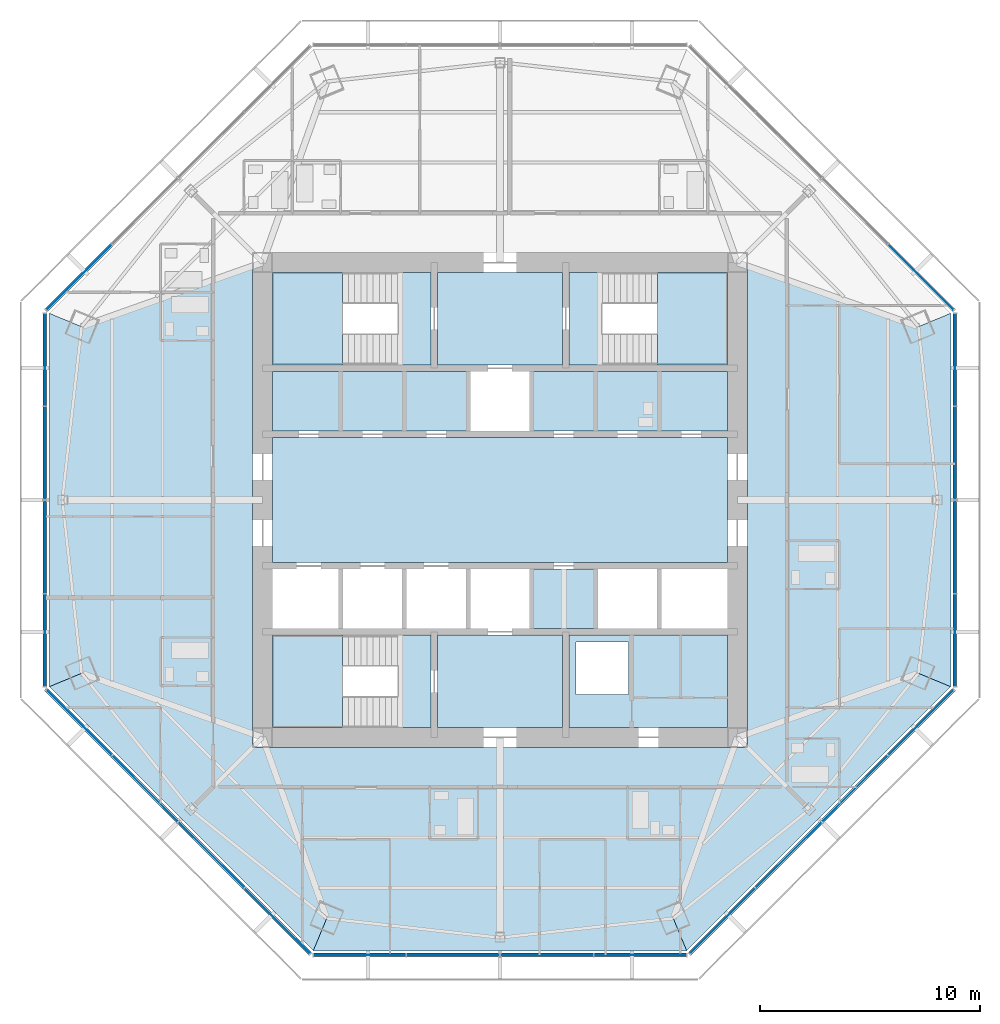
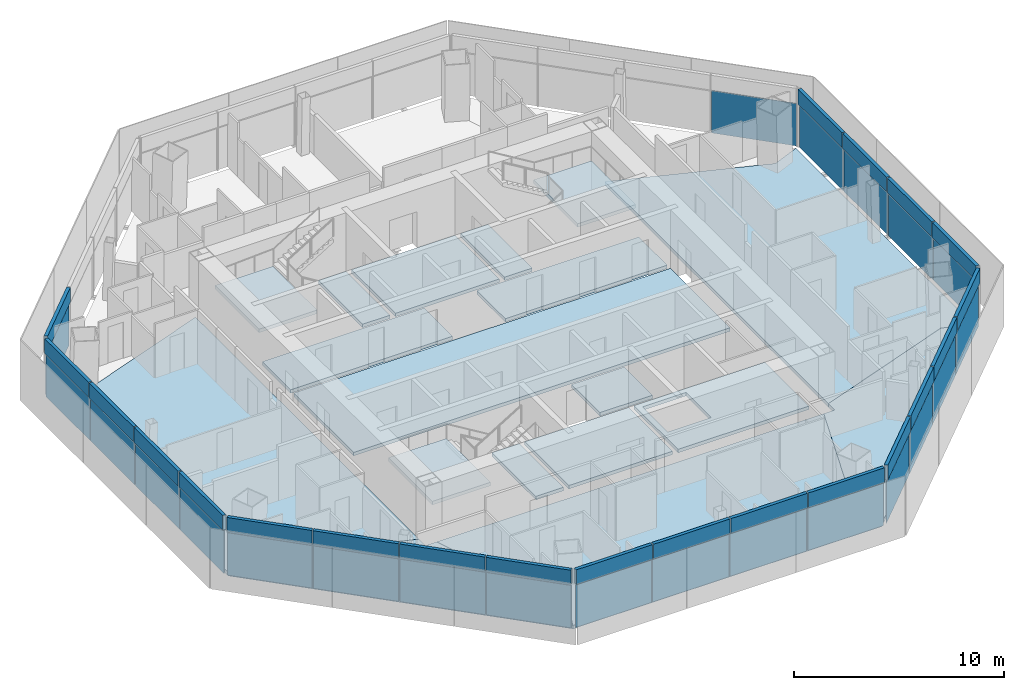
# One storey, part 7 of 15: 43 plates, 18 slabs, 10 elements without a shape of their own.
"""IFC4 building model written with IfcOpenShell, lengths in metres."""

from ifc_helpers import new_model, si_unit, direction, frame, origin, origin_2d, place, context, subcontext, project, spatial, polyline, rectangle, outline, extrude, source, transform, mapped, material, layer, layer_set, type_object, type_shapes, element, aggregate, save


model = new_model("IFC4")

# Units and contexts
model_context = context("Model", 3, precision=1e-05, world=origin(), true_north=direction((0.0, 1.0)))
body_context = subcontext(model_context, "Body", "Model", "MODEL_VIEW")
ifc_project = project(units=[si_unit("LENGTHUNIT", "METRE"), si_unit("AREAUNIT", "SQUARE_METRE"), si_unit("VOLUMEUNIT", "CUBIC_METRE"), si_unit("PLANEANGLEUNIT", "RADIAN"), si_unit("MASSUNIT", "GRAM", prefix="KILO")], contexts=[model_context])

# Site, building, storey
site_placement = place(None, origin())
site = spatial("IfcSite", under=ifc_project, at=site_placement, CompositionType="ELEMENT")
building_placement = place(site_placement, origin())
building = spatial("IfcBuilding", under=site, at=building_placement, Name="Mashrafa Tower", CompositionType="ELEMENT")
storey_placement = place(building_placement, frame((0.0, 0.0, 258.39990234375)))
storey = spatial("IfcBuildingStorey", under=building, at=storey_placement, Name="L62", CompositionType="ELEMENT", Elevation=258.39990234375)

# Slabs
ifc_material_1 = material(Name="Concrete C35/45", Category="concrete")
ifc_layer_1 = layer(ifc_material_1, 0.199951171875)
ifc_layer_set_1 = layer_set([ifc_layer_1], Name="Floor slab 200")
slab_type_1 = type_object("IfcSlabType", Name="Floor slab 200", PredefinedType="FLOOR", material=ifc_layer_set_1)
slab_1_placement = place(storey_placement, frame((0.0, 0.0, -0.199951171875)))
element("IfcSlab", 1, at=slab_1_placement, inside=storey, type_object=slab_type_1, Name="Floor slab L62 east bay", PredefinedType="FLOOR", context=body_context, shape_type="SweptSolid", body=[
    extrude(outline(polyline([(20.5048828125, 8.493408203125), (20.5048828125, -8.493408203125), (20.5048828125, -8.493408203125), (19.032470703125, -7.883544921875), (11.25, -10.640625), (11.25, 10.640625), (19.032470703125, 7.883544921875), (20.5048828125, 8.493408203125), (20.5048828125, 8.493408203125)])), origin(), (0.0, 0.0, 1.0), 0.199951171875),
])
slab_2_placement = place(storey_placement, frame((0.0, 0.0, -0.199951171875)))
element("IfcSlab", 2, at=slab_2_placement, inside=storey, type_object=slab_type_1, Name="Floor slab L62 west bay", PredefinedType="FLOOR", context=body_context, shape_type="SweptSolid", body=[
    extrude(outline(polyline([(-20.5048828125, -8.493408203125), (-20.5048828125, 8.493408203125), (-20.5048828125, 8.493408203125), (-19.032470703125, 7.883544921875), (-11.25, 10.640625), (-11.25, -10.640625), (-19.032470703125, -7.883544921875), (-20.5048828125, -8.493408203125), (-20.5048828125, -8.493408203125)])), origin(), (0.0, 0.0, 1.0), 0.199951171875),
])
slab_3_placement = place(storey_placement, frame((0.0, 0.0, -0.199951171875)))
element("IfcSlab", 3, at=slab_3_placement, inside=storey, type_object=slab_type_1, Name="Floor slab L62 south-west bay", PredefinedType="FLOOR", context=body_context, shape_type="SweptSolid", body=[
    extrude(outline(polyline([(-20.5048828125, -8.493408203125), (-19.032470703125, -7.883544921875), (-11.25, -10.640625), (-11.25, -11.25), (-10.640625, -11.25), (-7.883544921875, -19.032470703125), (-8.493408203125, -20.5048828125), (-20.5048828125, -8.493408203125)])), origin(), (0.0, 0.0, 1.0), 0.199951171875),
])
slab_4_placement = place(storey_placement, frame((0.0, 0.0, -0.199951171875)))
element("IfcSlab", 4, at=slab_4_placement, inside=storey, type_object=slab_type_1, Name="Floor slab L62 south bay", PredefinedType="FLOOR", context=body_context, shape_type="SweptSolid", body=[
    extrude(outline(polyline([(-8.493408203125, -20.5048828125), (-8.493408203125, -20.5048828125), (-7.883544921875, -19.032470703125), (-10.640625, -11.25), (10.640625, -11.25), (7.883544921875, -19.032470703125), (8.493408203125, -20.5048828125), (8.493408203125, -20.5048828125), (-8.493408203125, -20.5048828125)])), origin(), (0.0, 0.0, 1.0), 0.199951171875),
])
slab_5_placement = place(storey_placement, frame((0.0, 0.0, -0.199951171875)))
element("IfcSlab", 5, at=slab_5_placement, inside=storey, type_object=slab_type_1, Name="Floor slab L62 south-east bay", PredefinedType="FLOOR", context=body_context, shape_type="SweptSolid", body=[
    extrude(outline(polyline([(8.493408203125, -20.5048828125), (7.883544921875, -19.032470703125), (10.640625, -11.25), (11.25, -11.25), (11.25, -10.640625), (19.032470703125, -7.883544921875), (20.5048828125, -8.493408203125), (8.493408203125, -20.5048828125)])), origin(), (0.0, 0.0, 1.0), 0.199951171875),
])
slab_6_placement = place(storey_placement, frame((0.0, 0.0, -0.199951171875)))
element("IfcSlab", 6, at=slab_6_placement, inside=storey, type_object=slab_type_1, Name="Core floor lift hall L62", PredefinedType="FLOOR", context=body_context, shape_type="SweptSolid", body=[
    extrude(outline(polyline([(-10.35009765625, 2.85009765625), (10.35009765625, 2.85009765625), (10.35009765625, -2.85009765625), (-10.35009765625, -2.85009765625), (-10.35009765625, 2.85009765625)])), origin(), (0.0, 0.0, 1.0), 0.199951171875),
])
slab_7_placement = place(storey_placement, frame((0.0, 0.0, -0.199951171875)))
element("IfcSlab", 7, at=slab_7_placement, inside=storey, type_object=slab_type_1, Name="Core floor riser and electrical band L62", PredefinedType="FLOOR", context=body_context, shape_type="SweptSolid", body=[
    extrude(outline(polyline([(10.35009765625, -6.14990234375), (10.35009765625, -10.35009765625), (3.14990234375, -10.35009765625), (3.14990234375, -6.14990234375), (10.35009765625, -6.14990234375)]), holes=[polyline([(3.449951171875, -8.85009765625), (5.85009765625, -8.85009765625), (5.85009765625, -6.449951171875), (3.449951171875, -6.449951171875), (3.449951171875, -8.85009765625)])]), origin(), (0.0, 0.0, 1.0), 0.199951171875),
])
slab_8_placement = place(storey_placement, frame((0.0, 0.0, -0.199951171875)))
element("IfcSlab", 8, at=slab_8_placement, inside=storey, type_object=slab_type_1, Name="Core floor lift cell L62", PredefinedType="FLOOR", context=body_context, shape_type="SweptSolid", body=[
    extrude(outline(polyline([(-10.35009765625, 5.85009765625), (-1.449951171875, 5.85009765625), (-1.449951171875, 3.14990234375), (-10.35009765625, 3.14990234375), (-10.35009765625, 5.85009765625)])), origin(), (0.0, 0.0, 1.0), 0.199951171875),
])
slab_9_placement = place(storey_placement, frame((0.0, 0.0, -0.199951171875)))
element("IfcSlab", 9, at=slab_9_placement, inside=storey, type_object=slab_type_1, Name="Core floor lift cell L62", PredefinedType="FLOOR", context=body_context, shape_type="SweptSolid", body=[
    extrude(outline(polyline([(1.449951171875, 5.85009765625), (10.35009765625, 5.85009765625), (10.35009765625, 3.14990234375), (1.449951171875, 3.14990234375), (1.449951171875, 5.85009765625)])), origin(), (0.0, 0.0, 1.0), 0.199951171875),
])
slab_10_placement = place(storey_placement, frame((0.0, 0.0, -0.199951171875)))
element("IfcSlab", 10, at=slab_10_placement, inside=storey, type_object=slab_type_1, Name="Core floor fire-fighting lobby south L62", PredefinedType="FLOOR", context=body_context, shape_type="SweptSolid", body=[
    extrude(outline(polyline([(2.85009765625, -6.14990234375), (2.85009765625, -10.35009765625), (-2.85009765625, -10.35009765625), (-2.85009765625, -6.14990234375), (2.85009765625, -6.14990234375)])), origin(), (0.0, 0.0, 1.0), 0.199951171875),
])
slab_11_placement = place(storey_placement, frame((0.0, 0.0, -0.199951171875)))
element("IfcSlab", 11, at=slab_11_placement, inside=storey, type_object=slab_type_1, Name="Core floor fire-fighting lobby north L62", PredefinedType="FLOOR", context=body_context, shape_type="SweptSolid", body=[
    extrude(outline(polyline([(-2.85009765625, 10.35009765625), (2.85009765625, 10.35009765625), (2.85009765625, 6.14990234375), (-2.85009765625, 6.14990234375), (-2.85009765625, 10.35009765625)])), origin(), (0.0, 0.0, 1.0), 0.199951171875),
])
slab_12_placement = place(storey_placement, frame((0.0, 0.0, -0.199951171875)))
element("IfcSlab", 12, at=slab_12_placement, inside=storey, type_object=slab_type_1, Name="Core floor lift cell L62", PredefinedType="FLOOR", context=body_context, shape_type="SweptSolid", body=[
    extrude(outline(polyline([(4.35009765625, -3.14990234375), (4.35009765625, -5.85009765625), (1.449951171875, -5.85009765625), (1.449951171875, -3.14990234375), (4.35009765625, -3.14990234375)])), origin(), (0.0, 0.0, 1.0), 0.199951171875),
])

# Stair, slabs
ifc_material_2 = material(Name="Exit stair 1400")
stair_type = type_object("IfcStairType", Name="Exit stair 1400", PredefinedType="HALF_TURN_STAIR", material=ifc_material_2)
stair_1_placement = place(storey_placement, origin())
stair_1 = element("IfcStair", 13, at=stair_1_placement, inside=storey, type_object=stair_type, Name="Stair S1 L62", PredefinedType="HALF_TURN_STAIR")
ifc_material_3 = material(Name="Concrete C32/40", Category="concrete")
ifc_layer_2 = layer(ifc_material_3, 0.199951171875)
ifc_layer_set_2 = layer_set([ifc_layer_2], Name="Stair landing 200")
slab_type_2 = type_object("IfcSlabType", Name="Stair landing 200", PredefinedType="LANDING", material=ifc_layer_set_2)
slab_13_placement = place(storey_placement, frame((0.0, 0.0, -0.199951171875)))
slab_13 = element("IfcSlab", 14, at=slab_13_placement, type_object=slab_type_2, Name="S1 landing 1", PredefinedType="LANDING", context=body_context, shape_type="SweptSolid", body=[
    extrude(outline(polyline([(-4.659912109375, 6.14990234375), (-3.14990234375, 6.14990234375), (-3.14990234375, 10.35009765625), (-4.659912109375, 10.35009765625), (-4.659912109375, 6.14990234375)])), origin(), (0.0, 0.0, 1.0), 0.199951171875),
])
slab_14_placement = place(storey_placement, frame((0.0, 0.0, 1.5)))
slab_14 = element("IfcSlab", 15, at=slab_14_placement, type_object=slab_type_2, Name="S1 landing 2", PredefinedType="LANDING", context=body_context, shape_type="SweptSolid", body=[
    extrude(outline(polyline([(-10.35009765625, 6.14990234375), (-7.159912109375, 6.14990234375), (-7.159912109375, 10.35009765625), (-10.35009765625, 10.35009765625), (-10.35009765625, 6.14990234375)])), origin(), (0.0, 0.0, 1.0), 0.2001953125),
])
aggregate(stair_1, [slab_13, slab_14])

stair_2_placement = place(storey_placement, origin())
stair_2 = element("IfcStair", 16, at=stair_2_placement, inside=storey, type_object=stair_type, Name="Stair S2 L62", PredefinedType="HALF_TURN_STAIR")
slab_15_placement = place(storey_placement, frame((0.0, 0.0, -0.199951171875)))
slab_15 = element("IfcSlab", 17, at=slab_15_placement, type_object=slab_type_2, Name="S2 landing 1", PredefinedType="LANDING", context=body_context, shape_type="SweptSolid", body=[
    extrude(outline(polyline([(3.14990234375, 6.14990234375), (4.659912109375, 6.14990234375), (4.659912109375, 10.35009765625), (3.14990234375, 10.35009765625), (3.14990234375, 6.14990234375)])), origin(), (0.0, 0.0, 1.0), 0.199951171875),
])
slab_16_placement = place(storey_placement, frame((0.0, 0.0, 1.5)))
slab_16 = element("IfcSlab", 18, at=slab_16_placement, type_object=slab_type_2, Name="S2 landing 2", PredefinedType="LANDING", context=body_context, shape_type="SweptSolid", body=[
    extrude(outline(polyline([(7.159912109375, 6.14990234375), (10.35009765625, 6.14990234375), (10.35009765625, 10.35009765625), (7.159912109375, 10.35009765625), (7.159912109375, 6.14990234375)])), origin(), (0.0, 0.0, 1.0), 0.2001953125),
])
aggregate(stair_2, [slab_15, slab_16])

stair_3_placement = place(storey_placement, origin())
stair_3 = element("IfcStair", 19, at=stair_3_placement, inside=storey, type_object=stair_type, Name="Stair S3 L62", PredefinedType="HALF_TURN_STAIR")
slab_17_placement = place(storey_placement, frame((0.0, 0.0, -0.199951171875)))
slab_17 = element("IfcSlab", 20, at=slab_17_placement, type_object=slab_type_2, Name="S3 landing 1", PredefinedType="LANDING", context=body_context, shape_type="SweptSolid", body=[
    extrude(outline(polyline([(-4.659912109375, -10.35009765625), (-3.14990234375, -10.35009765625), (-3.14990234375, -6.14990234375), (-4.659912109375, -6.14990234375), (-4.659912109375, -10.35009765625)])), origin(), (0.0, 0.0, 1.0), 0.199951171875),
])
slab_18_placement = place(storey_placement, frame((0.0, 0.0, 1.5)))
slab_18 = element("IfcSlab", 21, at=slab_18_placement, type_object=slab_type_2, Name="S3 landing 2", PredefinedType="LANDING", context=body_context, shape_type="SweptSolid", body=[
    extrude(outline(polyline([(-10.35009765625, -10.35009765625), (-7.159912109375, -10.35009765625), (-7.159912109375, -6.14990234375), (-10.35009765625, -6.14990234375), (-10.35009765625, -10.35009765625)])), origin(), (0.0, 0.0, 1.0), 0.2001953125),
])
aggregate(stair_3, [slab_17, slab_18])

# Curtain wall, plates
ifc_material_4 = material(Name="Unitised aluminium curtain wall", Category="aluminium")
curtain_wall_type = type_object("IfcCurtainWallType", Name="Apartment curtain wall, zone 3 CW-C 180 deep", PredefinedType="NOTDEFINED", material=ifc_material_4)
curtain_wall_1_placement = place(storey_placement, origin())
curtain_wall_1 = element("IfcCurtainWall", 22, at=curtain_wall_1_placement, inside=storey, type_object=curtain_wall_type, Name="Apartment curtain wall, zone 3 L62 east", PredefinedType="NOTDEFINED")
ifc_material_5 = material(Name="Insulated double glazing, acoustic", Category="glass")
ifc_layer_3 = layer(ifc_material_5, 0.028076171875)
ifc_layer_set_3 = layer_set([ifc_layer_3], Name="Vision panel CW-C 28")
plate_type_1 = type_object("IfcPlateType", Name="Vision panel CW-C 28", PredefinedType="CURTAIN_PANEL", material=ifc_layer_set_3)
shared_shape_1 = source(origin(), body_context, "Body", "SweptSolid", [
    extrude(rectangle(XDim=4.174560546875, YDim=0.028076171875, at=origin_2d()), origin(), (0.0, 0.0, 1.0), 2.46240234375),
])
plate_1_placement = place(storey_placement, frame((20.704833984375, -6.3818359375, 0.000244140625), z_axis=(0.0, 0.0, 1.0), x_axis=(0.0, 1.0, 0.0)))
plate_1 = element("IfcPlate", 23, at=plate_1_placement, type_object=plate_type_1, Name="CW-C vision panel 1", PredefinedType="CURTAIN_PANEL", context=body_context, shape_type="MappedRepresentation", body=[
    mapped(shared_shape_1, transform((0.0, 0.0, 0.0))),
])
plate_2_placement = place(storey_placement, frame((20.704833984375, 6.3818359375, 0.000244140625), z_axis=(0.0, 0.0, 1.0), x_axis=(0.0, 1.0, 0.0)))
plate_2 = element("IfcPlate", 24, at=plate_2_placement, type_object=plate_type_1, Name="CW-C vision panel 4", PredefinedType="CURTAIN_PANEL", context=body_context, shape_type="MappedRepresentation", body=[
    mapped(shared_shape_1, transform((0.0, 0.0, 0.0))),
])

# Curtain wall, plate
curtain_wall_2_placement = place(storey_placement, origin())
curtain_wall_2 = element("IfcCurtainWall", 25, at=curtain_wall_2_placement, inside=storey, type_object=curtain_wall_type, Name="Apartment curtain wall, zone 3 L62 north-east", PredefinedType="NOTDEFINED")
plate_3_placement = place(storey_placement, frame((19.153076171875, 10.1279296875, 0.000244140625), z_axis=(0.0, 0.0, 1.0), x_axis=(-0.707106781187, 0.707106781187, 0.0)))
plate_3 = element("IfcPlate", 26, at=plate_3_placement, type_object=plate_type_1, Name="CW-C vision panel 1", PredefinedType="CURTAIN_PANEL", context=body_context, shape_type="MappedRepresentation", body=[
    mapped(shared_shape_1, transform((0.0, 0.0, 0.0))),
])
aggregate(curtain_wall_2, [plate_3])

curtain_wall_3_placement = place(storey_placement, origin())
curtain_wall_3 = element("IfcCurtainWall", 27, at=curtain_wall_3_placement, inside=storey, type_object=curtain_wall_type, Name="Apartment curtain wall, zone 3 L62 north-west", PredefinedType="NOTDEFINED")
plate_4_placement = place(storey_placement, frame((-19.153076171875, 10.1279296875, 0.000244140625), z_axis=(0.0, 0.0, 1.0), x_axis=(-0.707106781187, -0.707106781187, 0.0)))
plate_4 = element("IfcPlate", 28, at=plate_4_placement, type_object=plate_type_1, Name="CW-C vision panel 4", PredefinedType="CURTAIN_PANEL", context=body_context, shape_type="MappedRepresentation", body=[
    mapped(shared_shape_1, transform((0.0, 0.0, 0.0))),
])

# Curtain wall, plates
curtain_wall_4_placement = place(storey_placement, origin())
curtain_wall_4 = element("IfcCurtainWall", 29, at=curtain_wall_4_placement, inside=storey, type_object=curtain_wall_type, Name="Apartment curtain wall, zone 3 L62 west", PredefinedType="NOTDEFINED")
plate_5_placement = place(storey_placement, frame((-20.704833984375, 6.3818359375, 0.000244140625), z_axis=(0.0, 0.0, 1.0), x_axis=(0.0, -1.0, 0.0)))
plate_5 = element("IfcPlate", 30, at=plate_5_placement, type_object=plate_type_1, Name="CW-C vision panel 1", PredefinedType="CURTAIN_PANEL", context=body_context, shape_type="MappedRepresentation", body=[
    mapped(shared_shape_1, transform((0.0, 0.0, 0.0))),
])
plate_6_placement = place(storey_placement, frame((-20.704833984375, -6.3818359375, 0.000244140625), z_axis=(0.0, 0.0, 1.0), x_axis=(0.0, -1.0, 0.0)))
plate_6 = element("IfcPlate", 31, at=plate_6_placement, type_object=plate_type_1, Name="CW-C vision panel 4", PredefinedType="CURTAIN_PANEL", context=body_context, shape_type="MappedRepresentation", body=[
    mapped(shared_shape_1, transform((0.0, 0.0, 0.0))),
])

curtain_wall_5_placement = place(storey_placement, origin())
curtain_wall_5 = element("IfcCurtainWall", 32, at=curtain_wall_5_placement, inside=storey, type_object=curtain_wall_type, Name="Apartment curtain wall, zone 3 L62 south-west", PredefinedType="NOTDEFINED")
plate_7_placement = place(storey_placement, frame((-19.153076171875, -10.1279296875, 0.000244140625), z_axis=(0.0, 0.0, 1.0), x_axis=(0.707106781187, -0.707106781187, 0.0)))
plate_7 = element("IfcPlate", 33, at=plate_7_placement, type_object=plate_type_1, Name="CW-C vision panel 1", PredefinedType="CURTAIN_PANEL", context=body_context, shape_type="MappedRepresentation", body=[
    mapped(shared_shape_1, transform((0.0, 0.0, 0.0))),
])
plate_8_placement = place(storey_placement, frame((-10.1279296875, -19.153076171875, 0.000244140625), z_axis=(0.0, 0.0, 1.0), x_axis=(0.707106781187, -0.707106781187, 0.0)))
plate_8 = element("IfcPlate", 34, at=plate_8_placement, type_object=plate_type_1, Name="CW-C vision panel 4", PredefinedType="CURTAIN_PANEL", context=body_context, shape_type="MappedRepresentation", body=[
    mapped(shared_shape_1, transform((0.0, 0.0, 0.0))),
])

curtain_wall_6_placement = place(storey_placement, origin())
curtain_wall_6 = element("IfcCurtainWall", 35, at=curtain_wall_6_placement, inside=storey, type_object=curtain_wall_type, Name="Apartment curtain wall, zone 3 L62 south", PredefinedType="NOTDEFINED")
plate_9_placement = place(storey_placement, frame((-6.3818359375, -20.704833984375, 0.000244140625), z_axis=(0.0, 0.0, 1.0), x_axis=(1.0, 0.0, 0.0)))
plate_9 = element("IfcPlate", 36, at=plate_9_placement, type_object=plate_type_1, Name="CW-C vision panel 1", PredefinedType="CURTAIN_PANEL", context=body_context, shape_type="MappedRepresentation", body=[
    mapped(shared_shape_1, transform((0.0, 0.0, 0.0))),
])
plate_10_placement = place(storey_placement, frame((6.3818359375, -20.704833984375, 0.000244140625), z_axis=(0.0, 0.0, 1.0), x_axis=(1.0, 0.0, 0.0)))
plate_10 = element("IfcPlate", 37, at=plate_10_placement, type_object=plate_type_1, Name="CW-C vision panel 4", PredefinedType="CURTAIN_PANEL", context=body_context, shape_type="MappedRepresentation", body=[
    mapped(shared_shape_1, transform((0.0, 0.0, 0.0))),
])

curtain_wall_7_placement = place(storey_placement, origin())
curtain_wall_7 = element("IfcCurtainWall", 38, at=curtain_wall_7_placement, inside=storey, type_object=curtain_wall_type, Name="Apartment curtain wall, zone 3 L62 south-east", PredefinedType="NOTDEFINED")
plate_11_placement = place(storey_placement, frame((10.1279296875, -19.153076171875, 0.000244140625), z_axis=(0.0, 0.0, 1.0), x_axis=(0.707106781187, 0.707106781187, 0.0)))
plate_11 = element("IfcPlate", 39, at=plate_11_placement, type_object=plate_type_1, Name="CW-C vision panel 1", PredefinedType="CURTAIN_PANEL", context=body_context, shape_type="MappedRepresentation", body=[
    mapped(shared_shape_1, transform((0.0, 0.0, 0.0))),
])
plate_12_placement = place(storey_placement, frame((19.153076171875, -10.1279296875, 0.000244140625), z_axis=(0.0, 0.0, 1.0), x_axis=(0.707106781187, 0.707106781187, 0.0)))
plate_12 = element("IfcPlate", 40, at=plate_12_placement, type_object=plate_type_1, Name="CW-C vision panel 4", PredefinedType="CURTAIN_PANEL", context=body_context, shape_type="MappedRepresentation", body=[
    mapped(shared_shape_1, transform((0.0, 0.0, 0.0))),
])

# Plate
ifc_material_6 = material(Name="Insulated bronze aluminium spandrel panel", Category="aluminium")
ifc_layer_4 = layer(ifc_material_6, 0.179931640625)
ifc_layer_set_4 = layer_set([ifc_layer_4], Name="Spandrel panel CW-C 180")
plate_type_2 = type_object("IfcPlateType", Name="Spandrel panel CW-C 180", PredefinedType="CURTAIN_PANEL", material=ifc_layer_set_4)
shared_shape_2 = source(origin(), body_context, "Body", "SweptSolid", [
    extrude(rectangle(XDim=4.174560546875, YDim=0.179931640625, at=origin_2d()), origin(), (0.0, 0.0, 1.0), 0.862548828125),
])
plate_13_placement = place(storey_placement, frame((20.704833984375, -6.3818359375, 2.53759765625), z_axis=(0.0, 0.0, 1.0), x_axis=(0.0, 1.0, 0.0)))
plate_13 = element("IfcPlate", 41, at=plate_13_placement, type_object=plate_type_2, Name="CW-C spandrel panel 1", PredefinedType="CURTAIN_PANEL", context=body_context, shape_type="MappedRepresentation", body=[
    mapped(shared_shape_2, transform((0.0, 0.0, 0.0))),
])

plate_14_placement = place(storey_placement, frame((20.704833984375, 6.3818359375, 2.53759765625), z_axis=(0.0, 0.0, 1.0), x_axis=(0.0, 1.0, 0.0)))
plate_14 = element("IfcPlate", 42, at=plate_14_placement, type_object=plate_type_2, Name="CW-C spandrel panel 4", PredefinedType="CURTAIN_PANEL", context=body_context, shape_type="MappedRepresentation", body=[
    mapped(shared_shape_2, transform((0.0, 0.0, 0.0))),
])

plate_15_placement = place(storey_placement, frame((-19.153076171875, 10.1279296875, 2.53759765625), z_axis=(0.0, 0.0, 1.0), x_axis=(-0.707106781187, -0.707106781187, 0.0)))
plate_15 = element("IfcPlate", 43, at=plate_15_placement, type_object=plate_type_2, Name="CW-C spandrel panel 4", PredefinedType="CURTAIN_PANEL", context=body_context, shape_type="MappedRepresentation", body=[
    mapped(shared_shape_2, transform((0.0, 0.0, 0.0))),
])

aggregate(curtain_wall_3, [plate_4, plate_15])

plate_16_placement = place(storey_placement, frame((-20.704833984375, 6.3818359375, 2.53759765625), z_axis=(0.0, 0.0, 1.0), x_axis=(0.0, -1.0, 0.0)))
plate_16 = element("IfcPlate", 44, at=plate_16_placement, type_object=plate_type_2, Name="CW-C spandrel panel 1", PredefinedType="CURTAIN_PANEL", context=body_context, shape_type="MappedRepresentation", body=[
    mapped(shared_shape_2, transform((0.0, 0.0, 0.0))),
])

plate_17_placement = place(storey_placement, frame((-20.704833984375, -6.3818359375, 2.53759765625), z_axis=(0.0, 0.0, 1.0), x_axis=(0.0, -1.0, 0.0)))
plate_17 = element("IfcPlate", 45, at=plate_17_placement, type_object=plate_type_2, Name="CW-C spandrel panel 4", PredefinedType="CURTAIN_PANEL", context=body_context, shape_type="MappedRepresentation", body=[
    mapped(shared_shape_2, transform((0.0, 0.0, 0.0))),
])

plate_18_placement = place(storey_placement, frame((-19.153076171875, -10.1279296875, 2.53759765625), z_axis=(0.0, 0.0, 1.0), x_axis=(0.707106781187, -0.707106781187, 0.0)))
plate_18 = element("IfcPlate", 46, at=plate_18_placement, type_object=plate_type_2, Name="CW-C spandrel panel 1", PredefinedType="CURTAIN_PANEL", context=body_context, shape_type="MappedRepresentation", body=[
    mapped(shared_shape_2, transform((0.0, 0.0, 0.0))),
])

plate_19_placement = place(storey_placement, frame((-10.1279296875, -19.153076171875, 2.53759765625), z_axis=(0.0, 0.0, 1.0), x_axis=(0.707106781187, -0.707106781187, 0.0)))
plate_19 = element("IfcPlate", 47, at=plate_19_placement, type_object=plate_type_2, Name="CW-C spandrel panel 4", PredefinedType="CURTAIN_PANEL", context=body_context, shape_type="MappedRepresentation", body=[
    mapped(shared_shape_2, transform((0.0, 0.0, 0.0))),
])

plate_20_placement = place(storey_placement, frame((-6.3818359375, -20.704833984375, 2.53759765625), z_axis=(0.0, 0.0, 1.0), x_axis=(1.0, 0.0, 0.0)))
plate_20 = element("IfcPlate", 48, at=plate_20_placement, type_object=plate_type_2, Name="CW-C spandrel panel 1", PredefinedType="CURTAIN_PANEL", context=body_context, shape_type="MappedRepresentation", body=[
    mapped(shared_shape_2, transform((0.0, 0.0, 0.0))),
])

plate_21_placement = place(storey_placement, frame((6.3818359375, -20.704833984375, 2.53759765625), z_axis=(0.0, 0.0, 1.0), x_axis=(1.0, 0.0, 0.0)))
plate_21 = element("IfcPlate", 49, at=plate_21_placement, type_object=plate_type_2, Name="CW-C spandrel panel 4", PredefinedType="CURTAIN_PANEL", context=body_context, shape_type="MappedRepresentation", body=[
    mapped(shared_shape_2, transform((0.0, 0.0, 0.0))),
])

plate_22_placement = place(storey_placement, frame((10.1279296875, -19.153076171875, 2.53759765625), z_axis=(0.0, 0.0, 1.0), x_axis=(0.707106781187, 0.707106781187, 0.0)))
plate_22 = element("IfcPlate", 50, at=plate_22_placement, type_object=plate_type_2, Name="CW-C spandrel panel 1", PredefinedType="CURTAIN_PANEL", context=body_context, shape_type="MappedRepresentation", body=[
    mapped(shared_shape_2, transform((0.0, 0.0, 0.0))),
])

plate_23_placement = place(storey_placement, frame((19.153076171875, -10.1279296875, 2.53759765625), z_axis=(0.0, 0.0, 1.0), x_axis=(0.707106781187, 0.707106781187, 0.0)))
plate_23 = element("IfcPlate", 51, at=plate_23_placement, type_object=plate_type_2, Name="CW-C spandrel panel 4", PredefinedType="CURTAIN_PANEL", context=body_context, shape_type="MappedRepresentation", body=[
    mapped(shared_shape_2, transform((0.0, 0.0, 0.0))),
])

shared_shape_3 = source(origin(), body_context, "Body", "SweptSolid", [
    extrude(rectangle(XDim=4.20458984375, YDim=0.028076171875, at=origin_2d()), origin(), (0.0, 0.0, 1.0), 2.46240234375),
])
type_shapes(plate_type_1, [shared_shape_1, shared_shape_3])
plate_24_placement = place(storey_placement, frame((20.704833984375, -2.13232421875, 0.000244140625), z_axis=(0.0, 0.0, 1.0), x_axis=(0.0, 1.0, 0.0)))
plate_24 = element("IfcPlate", 52, at=plate_24_placement, type_object=plate_type_1, Name="CW-C vision panel 2", PredefinedType="CURTAIN_PANEL", context=body_context, shape_type="MappedRepresentation", body=[
    mapped(shared_shape_3, transform((0.0, 0.0, 0.0))),
])

plate_25_placement = place(storey_placement, frame((20.704833984375, 2.13232421875, 0.000244140625), z_axis=(0.0, 0.0, 1.0), x_axis=(0.0, 1.0, 0.0)))
plate_25 = element("IfcPlate", 53, at=plate_25_placement, type_object=plate_type_1, Name="CW-C vision panel 3", PredefinedType="CURTAIN_PANEL", context=body_context, shape_type="MappedRepresentation", body=[
    mapped(shared_shape_3, transform((0.0, 0.0, 0.0))),
])

plate_26_placement = place(storey_placement, frame((-20.704833984375, 2.13232421875, 0.000244140625), z_axis=(0.0, 0.0, 1.0), x_axis=(0.0, -1.0, 0.0)))
plate_26 = element("IfcPlate", 54, at=plate_26_placement, type_object=plate_type_1, Name="CW-C vision panel 2", PredefinedType="CURTAIN_PANEL", context=body_context, shape_type="MappedRepresentation", body=[
    mapped(shared_shape_3, transform((0.0, 0.0, 0.0))),
])

plate_27_placement = place(storey_placement, frame((-20.704833984375, -2.13232421875, 0.000244140625), z_axis=(0.0, 0.0, 1.0), x_axis=(0.0, -1.0, 0.0)))
plate_27 = element("IfcPlate", 55, at=plate_27_placement, type_object=plate_type_1, Name="CW-C vision panel 3", PredefinedType="CURTAIN_PANEL", context=body_context, shape_type="MappedRepresentation", body=[
    mapped(shared_shape_3, transform((0.0, 0.0, 0.0))),
])

plate_28_placement = place(storey_placement, frame((-16.1484375, -13.1328125, 0.000244140625), z_axis=(0.0, 0.0, 1.0), x_axis=(0.707106781187, -0.707106781187, 0.0)))
plate_28 = element("IfcPlate", 56, at=plate_28_placement, type_object=plate_type_1, Name="CW-C vision panel 2", PredefinedType="CURTAIN_PANEL", context=body_context, shape_type="MappedRepresentation", body=[
    mapped(shared_shape_3, transform((0.0, 0.0, 0.0))),
])

plate_29_placement = place(storey_placement, frame((-13.1328125, -16.1484375, 0.000244140625), z_axis=(0.0, 0.0, 1.0), x_axis=(0.707106781187, -0.707106781187, 0.0)))
plate_29 = element("IfcPlate", 57, at=plate_29_placement, type_object=plate_type_1, Name="CW-C vision panel 3", PredefinedType="CURTAIN_PANEL", context=body_context, shape_type="MappedRepresentation", body=[
    mapped(shared_shape_3, transform((0.0, 0.0, 0.0))),
])

plate_30_placement = place(storey_placement, frame((-2.13232421875, -20.704833984375, 0.000244140625), z_axis=(0.0, 0.0, 1.0), x_axis=(1.0, 0.0, 0.0)))
plate_30 = element("IfcPlate", 58, at=plate_30_placement, type_object=plate_type_1, Name="CW-C vision panel 2", PredefinedType="CURTAIN_PANEL", context=body_context, shape_type="MappedRepresentation", body=[
    mapped(shared_shape_3, transform((0.0, 0.0, 0.0))),
])

plate_31_placement = place(storey_placement, frame((2.13232421875, -20.704833984375, 0.000244140625), z_axis=(0.0, 0.0, 1.0), x_axis=(1.0, 0.0, 0.0)))
plate_31 = element("IfcPlate", 59, at=plate_31_placement, type_object=plate_type_1, Name="CW-C vision panel 3", PredefinedType="CURTAIN_PANEL", context=body_context, shape_type="MappedRepresentation", body=[
    mapped(shared_shape_3, transform((0.0, 0.0, 0.0))),
])

plate_32_placement = place(storey_placement, frame((13.1328125, -16.1484375, 0.000244140625), z_axis=(0.0, 0.0, 1.0), x_axis=(0.707106781187, 0.707106781187, 0.0)))
plate_32 = element("IfcPlate", 60, at=plate_32_placement, type_object=plate_type_1, Name="CW-C vision panel 2", PredefinedType="CURTAIN_PANEL", context=body_context, shape_type="MappedRepresentation", body=[
    mapped(shared_shape_3, transform((0.0, 0.0, 0.0))),
])

plate_33_placement = place(storey_placement, frame((16.1484375, -13.1328125, 0.000244140625), z_axis=(0.0, 0.0, 1.0), x_axis=(0.707106781187, 0.707106781187, 0.0)))
plate_33 = element("IfcPlate", 61, at=plate_33_placement, type_object=plate_type_1, Name="CW-C vision panel 3", PredefinedType="CURTAIN_PANEL", context=body_context, shape_type="MappedRepresentation", body=[
    mapped(shared_shape_3, transform((0.0, 0.0, 0.0))),
])

shared_shape_4 = source(origin(), body_context, "Body", "SweptSolid", [
    extrude(rectangle(XDim=4.20458984375, YDim=0.179931640625, at=origin_2d()), origin(), (0.0, 0.0, 1.0), 0.862548828125),
])
type_shapes(plate_type_2, [shared_shape_2, shared_shape_4])
plate_34_placement = place(storey_placement, frame((20.704833984375, -2.13232421875, 2.53759765625), z_axis=(0.0, 0.0, 1.0), x_axis=(0.0, 1.0, 0.0)))
plate_34 = element("IfcPlate", 62, at=plate_34_placement, type_object=plate_type_2, Name="CW-C spandrel panel 2", PredefinedType="CURTAIN_PANEL", context=body_context, shape_type="MappedRepresentation", body=[
    mapped(shared_shape_4, transform((0.0, 0.0, 0.0))),
])

plate_35_placement = place(storey_placement, frame((20.704833984375, 2.13232421875, 2.53759765625), z_axis=(0.0, 0.0, 1.0), x_axis=(0.0, 1.0, 0.0)))
plate_35 = element("IfcPlate", 63, at=plate_35_placement, type_object=plate_type_2, Name="CW-C spandrel panel 3", PredefinedType="CURTAIN_PANEL", context=body_context, shape_type="MappedRepresentation", body=[
    mapped(shared_shape_4, transform((0.0, 0.0, 0.0))),
])

aggregate(curtain_wall_1, [plate_1, plate_13, plate_24, plate_34, plate_25, plate_35, plate_2, plate_14])

plate_36_placement = place(storey_placement, frame((-20.704833984375, 2.13232421875, 2.53759765625), z_axis=(0.0, 0.0, 1.0), x_axis=(0.0, -1.0, 0.0)))
plate_36 = element("IfcPlate", 64, at=plate_36_placement, type_object=plate_type_2, Name="CW-C spandrel panel 2", PredefinedType="CURTAIN_PANEL", context=body_context, shape_type="MappedRepresentation", body=[
    mapped(shared_shape_4, transform((0.0, 0.0, 0.0))),
])

plate_37_placement = place(storey_placement, frame((-20.704833984375, -2.13232421875, 2.53759765625), z_axis=(0.0, 0.0, 1.0), x_axis=(0.0, -1.0, 0.0)))
plate_37 = element("IfcPlate", 65, at=plate_37_placement, type_object=plate_type_2, Name="CW-C spandrel panel 3", PredefinedType="CURTAIN_PANEL", context=body_context, shape_type="MappedRepresentation", body=[
    mapped(shared_shape_4, transform((0.0, 0.0, 0.0))),
])

aggregate(curtain_wall_4, [plate_5, plate_16, plate_26, plate_36, plate_27, plate_37, plate_6, plate_17])

plate_38_placement = place(storey_placement, frame((-16.1484375, -13.1328125, 2.53759765625), z_axis=(0.0, 0.0, 1.0), x_axis=(0.707106781187, -0.707106781187, 0.0)))
plate_38 = element("IfcPlate", 66, at=plate_38_placement, type_object=plate_type_2, Name="CW-C spandrel panel 2", PredefinedType="CURTAIN_PANEL", context=body_context, shape_type="MappedRepresentation", body=[
    mapped(shared_shape_4, transform((0.0, 0.0, 0.0))),
])

plate_39_placement = place(storey_placement, frame((-13.1328125, -16.1484375, 2.53759765625), z_axis=(0.0, 0.0, 1.0), x_axis=(0.707106781187, -0.707106781187, 0.0)))
plate_39 = element("IfcPlate", 67, at=plate_39_placement, type_object=plate_type_2, Name="CW-C spandrel panel 3", PredefinedType="CURTAIN_PANEL", context=body_context, shape_type="MappedRepresentation", body=[
    mapped(shared_shape_4, transform((0.0, 0.0, 0.0))),
])

aggregate(curtain_wall_5, [plate_7, plate_18, plate_28, plate_38, plate_29, plate_39, plate_8, plate_19])

plate_40_placement = place(storey_placement, frame((-2.13232421875, -20.704833984375, 2.53759765625), z_axis=(0.0, 0.0, 1.0), x_axis=(1.0, 0.0, 0.0)))
plate_40 = element("IfcPlate", 68, at=plate_40_placement, type_object=plate_type_2, Name="CW-C spandrel panel 2", PredefinedType="CURTAIN_PANEL", context=body_context, shape_type="MappedRepresentation", body=[
    mapped(shared_shape_4, transform((0.0, 0.0, 0.0))),
])

plate_41_placement = place(storey_placement, frame((2.13232421875, -20.704833984375, 2.53759765625), z_axis=(0.0, 0.0, 1.0), x_axis=(1.0, 0.0, 0.0)))
plate_41 = element("IfcPlate", 69, at=plate_41_placement, type_object=plate_type_2, Name="CW-C spandrel panel 3", PredefinedType="CURTAIN_PANEL", context=body_context, shape_type="MappedRepresentation", body=[
    mapped(shared_shape_4, transform((0.0, 0.0, 0.0))),
])

aggregate(curtain_wall_6, [plate_9, plate_20, plate_30, plate_40, plate_31, plate_41, plate_10, plate_21])

plate_42_placement = place(storey_placement, frame((13.1328125, -16.1484375, 2.53759765625), z_axis=(0.0, 0.0, 1.0), x_axis=(0.707106781187, 0.707106781187, 0.0)))
plate_42 = element("IfcPlate", 70, at=plate_42_placement, type_object=plate_type_2, Name="CW-C spandrel panel 2", PredefinedType="CURTAIN_PANEL", context=body_context, shape_type="MappedRepresentation", body=[
    mapped(shared_shape_4, transform((0.0, 0.0, 0.0))),
])

plate_43_placement = place(storey_placement, frame((16.1484375, -13.1328125, 2.53759765625), z_axis=(0.0, 0.0, 1.0), x_axis=(0.707106781187, 0.707106781187, 0.0)))
plate_43 = element("IfcPlate", 71, at=plate_43_placement, type_object=plate_type_2, Name="CW-C spandrel panel 3", PredefinedType="CURTAIN_PANEL", context=body_context, shape_type="MappedRepresentation", body=[
    mapped(shared_shape_4, transform((0.0, 0.0, 0.0))),
])

aggregate(curtain_wall_7, [plate_11, plate_22, plate_32, plate_42, plate_33, plate_43, plate_12, plate_23])

save(model, "model.ifc")
